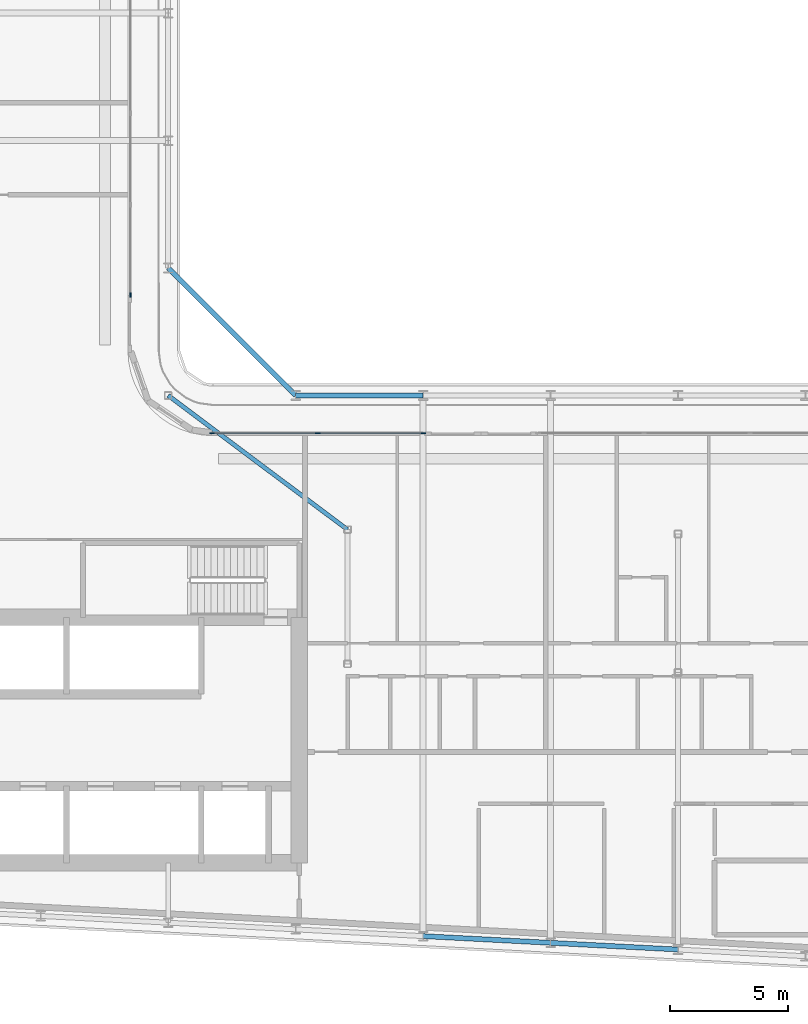
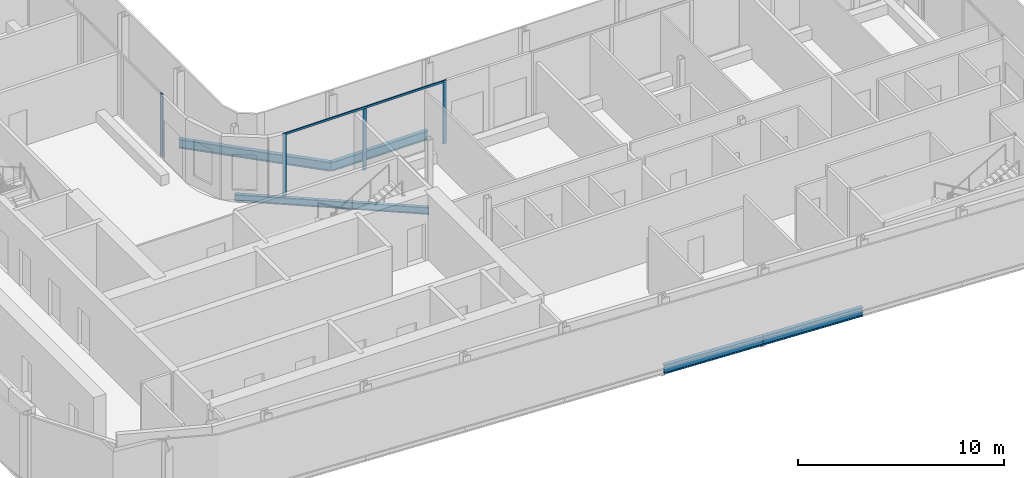
# One storey, part 4 of 23: 5 beams, 5 members, 2 elements without a shape of their own.
"""IFC4 building model written with IfcOpenShell, lengths in metres."""

from ifc_helpers import new_model, si_unit, direction, frame, origin, origin_2d, place, context, subcontext, project, spatial, rectangle, i_section, extrude, material, layer, layer_set, material_profile, profile_set, type_object, element, aggregate, save


model = new_model("IFC4")

# Units and contexts
model_context = context("Model", 3, precision=1e-05, world=origin(), true_north=direction((0.0, 1.0)))
body_context = subcontext(model_context, "Body", "Model", "MODEL_VIEW")
ifc_project = project(units=[si_unit("LENGTHUNIT", "METRE"), si_unit("AREAUNIT", "SQUARE_METRE"), si_unit("VOLUMEUNIT", "CUBIC_METRE"), si_unit("PLANEANGLEUNIT", "RADIAN"), si_unit("MASSUNIT", "GRAM", prefix="KILO")], contexts=[model_context])

# Site, building, storey
site_placement = place(None, origin())
site = spatial("IfcSite", under=ifc_project, at=site_placement, CompositionType="ELEMENT")
building_placement = place(site_placement, origin())
building = spatial("IfcBuilding", under=site, at=building_placement, Name="Kheshtan School and Residences Tower", CompositionType="ELEMENT")
storey_placement = place(building_placement, frame((0.0, 0.0, 247.39990234375)))
storey = spatial("IfcBuildingStorey", under=building, at=storey_placement, Name="L58", CompositionType="ELEMENT", Elevation=247.39990234375)

# Beams
ifc_material_1 = material(Name="Steel ASTM A992 Grade 50", Category="steel")
ifc_material_profile_1 = material_profile(ifc_material_1, i_section(OverallWidth=0.180908203125, OverallDepth=0.4169921875, WebThickness=0.010986328125, FlangeThickness=0.018310546875, FilletRadius=0.012451171875, at=origin_2d()), Name="W410x85")
ifc_profile_set_1 = profile_set([ifc_material_profile_1], Name="Steel ASTM A992 Grade 50")
beam_type_1 = type_object("IfcBeamType", Name="Beam FB3 W410x85 ASTM A992 Grade 50", PredefinedType="BEAM", material=ifc_profile_set_1)
beam_1_placement = place(storey_placement, frame((47.60009765625, 45.60009765625, -0.3583984375), z_axis=(0.800798828004, -0.598933416222, 0.0), x_axis=(0.598933416222, 0.800798828004, 0.0)))
element("IfcBeam", 1, at=beam_1_placement, inside=storey, type_object=beam_type_1, Name="Floor beam IC", PredefinedType="BEAM", context=body_context, shape_type="SweptSolid", body=[
    extrude(i_section(OverallWidth=0.180908203125, OverallDepth=0.4169921875, WebThickness=0.010986328125, FlangeThickness=0.018310546875, FilletRadius=0.012451171875, at=origin_2d()), origin(), (0.0, 0.0, 1.0), 9.490234375),
])
ifc_material_profile_2 = material_profile(ifc_material_1, i_section(OverallWidth=0.208984375, OverallDepth=0.532958984375, WebThickness=0.01025390625, FlangeThickness=0.015625, FilletRadius=0.013916015625, at=origin_2d()), Name="W530x92")
ifc_profile_set_2 = profile_set([ifc_material_profile_2], Name="Steel ASTM A992 Grade 50")
beam_type_2 = type_object("IfcBeamType", Name="Beam SP3 W530x92 ASTM A992 Grade 50", PredefinedType="BEAM", material=ifc_profile_set_2)
beam_2_placement = place(storey_placement, frame((47.60009765625, 51.0, -0.41650390625), z_axis=(0.707106781187, -0.707106781187, 0.0), x_axis=(0.707106781187, 0.707106781187, 0.0)))
element("IfcBeam", 2, at=beam_2_placement, inside=storey, type_object=beam_type_2, Name="Spandrel beam C079-C061", PredefinedType="BEAM", context=body_context, shape_type="SweptSolid", body=[
    extrude(i_section(OverallWidth=0.208984375, OverallDepth=0.532958984375, WebThickness=0.01025390625, FlangeThickness=0.015625, FilletRadius=0.013916015625, at=origin_2d()), origin(), (0.0, 0.0, 1.0), 7.63671875),
])
beam_3_placement = place(storey_placement, frame((53.0, 45.60009765625, -0.41650390625), z_axis=(1.0, 0.0, 0.0), x_axis=(0.0, 1.0, 0.0)))
element("IfcBeam", 3, at=beam_3_placement, inside=storey, type_object=beam_type_2, Name="Spandrel beam C061-C062", PredefinedType="BEAM", context=body_context, shape_type="SweptSolid", body=[
    extrude(i_section(OverallWidth=0.208984375, OverallDepth=0.532958984375, WebThickness=0.01025390625, FlangeThickness=0.015625, FilletRadius=0.013916015625, at=origin_2d()), origin(), (0.0, 0.0, 1.0), 5.39990234375),
])
beam_4_placement = place(storey_placement, frame((69.199951171875, 22.126953125, -0.41650390625), z_axis=(-0.998620447272, 0.05250906864, 0.0), x_axis=(-0.05250906864, -0.998620447272, 0.0)))
element("IfcBeam", 4, at=beam_4_placement, inside=storey, type_object=beam_type_2, Name="Spandrel beam C014-C016", PredefinedType="BEAM", context=body_context, shape_type="SweptSolid", body=[
    extrude(i_section(OverallWidth=0.208984375, OverallDepth=0.532958984375, WebThickness=0.01025390625, FlangeThickness=0.015625, FilletRadius=0.013916015625, at=origin_2d()), origin(), (0.0, 0.0, 1.0), 5.407470703125),
])
beam_5_placement = place(storey_placement, frame((63.800048828125, 22.410888671875, -0.41650390625), z_axis=(-0.998618203458, 0.052551724256, 0.0), x_axis=(-0.052551724256, -0.998618203458, 0.0)))
element("IfcBeam", 5, at=beam_5_placement, inside=storey, type_object=beam_type_2, Name="Spandrel beam C016-C018", PredefinedType="BEAM", context=body_context, shape_type="SweptSolid", body=[
    extrude(i_section(OverallWidth=0.208984375, OverallDepth=0.532958984375, WebThickness=0.01025390625, FlangeThickness=0.015625, FilletRadius=0.013916015625, at=origin_2d()), origin(), (0.0, 0.0, 1.0), 5.40771484375),
])

# Curtain wall, member
ifc_material_2 = material(Name="Clear low-e glass in thermally broken aluminium frame", Category="aluminium")
ifc_layer = layer(ifc_material_2, 0.199951171875)
ifc_layer_set = layer_set([ifc_layer], Name="Curtain wall CW-L")
curtain_wall_type = type_object("IfcCurtainWallType", Name="Curtain wall CW-L", PredefinedType="NOTDEFINED", material=ifc_layer_set)
curtain_wall_1_placement = place(storey_placement, origin())
curtain_wall_1 = element("IfcCurtainWall", 6, at=curtain_wall_1_placement, inside=storey, type_object=curtain_wall_type, Name="Curtain wall CWL8", PredefinedType="NOTDEFINED")
ifc_material_3 = material(Name="Thermally broken aluminium, dark bronze anodised", Category="aluminium")
ifc_material_profile_3 = material_profile(ifc_material_3, rectangle(XDim=0.06005859375, YDim=0.199951171875, at=origin_2d()), Name="CW-L mullion 60x200")
ifc_profile_set_3 = profile_set([ifc_material_profile_3], Name="Thermally broken aluminium, dark bronze anodised")
member_type_1 = type_object("IfcMemberType", Name="CW-L mullion 60x200", PredefinedType="MULLION", material=ifc_profile_set_3)
member_1_placement = place(storey_placement, frame((46.0, 49.860107421875, 0.0), z_axis=(0.0, 0.0, 1.0), x_axis=(1.0, 0.0, 0.0)))
member_1 = element("IfcMember", 7, at=member_1_placement, type_object=member_type_1, Name="CWL8 mullion 3", PredefinedType="MULLION", context=body_context, shape_type="SweptSolid", body=[
    extrude(rectangle(XDim=0.06005859375, YDim=0.199951171875, at=origin_2d()), origin(), (0.0, 0.0, 1.0), 3.75),
])
aggregate(curtain_wall_1, [member_1])

# Curtain wall, members
curtain_wall_2_placement = place(storey_placement, origin())
curtain_wall_2 = element("IfcCurtainWall", 8, at=curtain_wall_2_placement, inside=storey, type_object=curtain_wall_type, Name="Curtain wall CWL1231", PredefinedType="NOTDEFINED")
member_2_placement = place(storey_placement, frame((49.4599609375, 44.0, 0.0), z_axis=(0.0, 0.0, 1.0), x_axis=(0.0, 1.0, 0.0)))
member_2 = element("IfcMember", 9, at=member_2_placement, type_object=member_type_1, Name="CWL1231 mullion 1", PredefinedType="MULLION", context=body_context, shape_type="SweptSolid", body=[
    extrude(rectangle(XDim=0.06005859375, YDim=0.199951171875, at=origin_2d()), origin(), (0.0, 0.0, 1.0), 3.75),
])
member_3_placement = place(storey_placement, frame((53.941650390625, 44.0, 0.0), z_axis=(0.0, 0.0, 1.0), x_axis=(0.0, 1.0, 0.0)))
member_3 = element("IfcMember", 10, at=member_3_placement, type_object=member_type_1, Name="CWL1231 mullion 2", PredefinedType="MULLION", context=body_context, shape_type="SweptSolid", body=[
    extrude(rectangle(XDim=0.06005859375, YDim=0.199951171875, at=origin_2d()), origin(), (0.0, 0.0, 1.0), 3.630126953125),
])
member_4_placement = place(storey_placement, frame((58.42333984375, 44.0, 0.0), z_axis=(0.0, 0.0, 1.0), x_axis=(0.0, 1.0, 0.0)))
member_4 = element("IfcMember", 11, at=member_4_placement, type_object=member_type_1, Name="CWL1231 mullion 3", PredefinedType="MULLION", context=body_context, shape_type="SweptSolid", body=[
    extrude(rectangle(XDim=0.06005859375, YDim=0.199951171875, at=origin_2d()), origin(), (0.0, 0.0, 1.0), 3.75),
])
ifc_material_profile_4 = material_profile(ifc_material_3, rectangle(XDim=0.06005859375, YDim=0.1201171875, at=origin_2d()), Name="CW-L transom 60x120")
ifc_profile_set_4 = profile_set([ifc_material_profile_4], Name="Thermally broken aluminium, dark bronze anodised")
member_type_2 = type_object("IfcMemberType", Name="CW-L transom 60x120", PredefinedType="USERDEFINED", material=ifc_profile_set_4)
member_5_placement = place(storey_placement, frame((49.489990234375, 44.0, 3.690185546875), z_axis=(1.0, 0.0, 0.0), x_axis=(0.0, 1.0, 0.0)))
member_5 = element("IfcMember", 12, at=member_5_placement, type_object=member_type_2, Name="CWL1231 transom 1", ObjectType="TRANSOM", PredefinedType="USERDEFINED", context=body_context, shape_type="SweptSolid", body=[
    extrude(rectangle(XDim=0.06005859375, YDim=0.1201171875, at=origin_2d()), origin(), (0.0, 0.0, 1.0), 8.9033203125),
])
aggregate(curtain_wall_2, [member_2, member_3, member_4, member_5])

save(model, "model.ifc")
